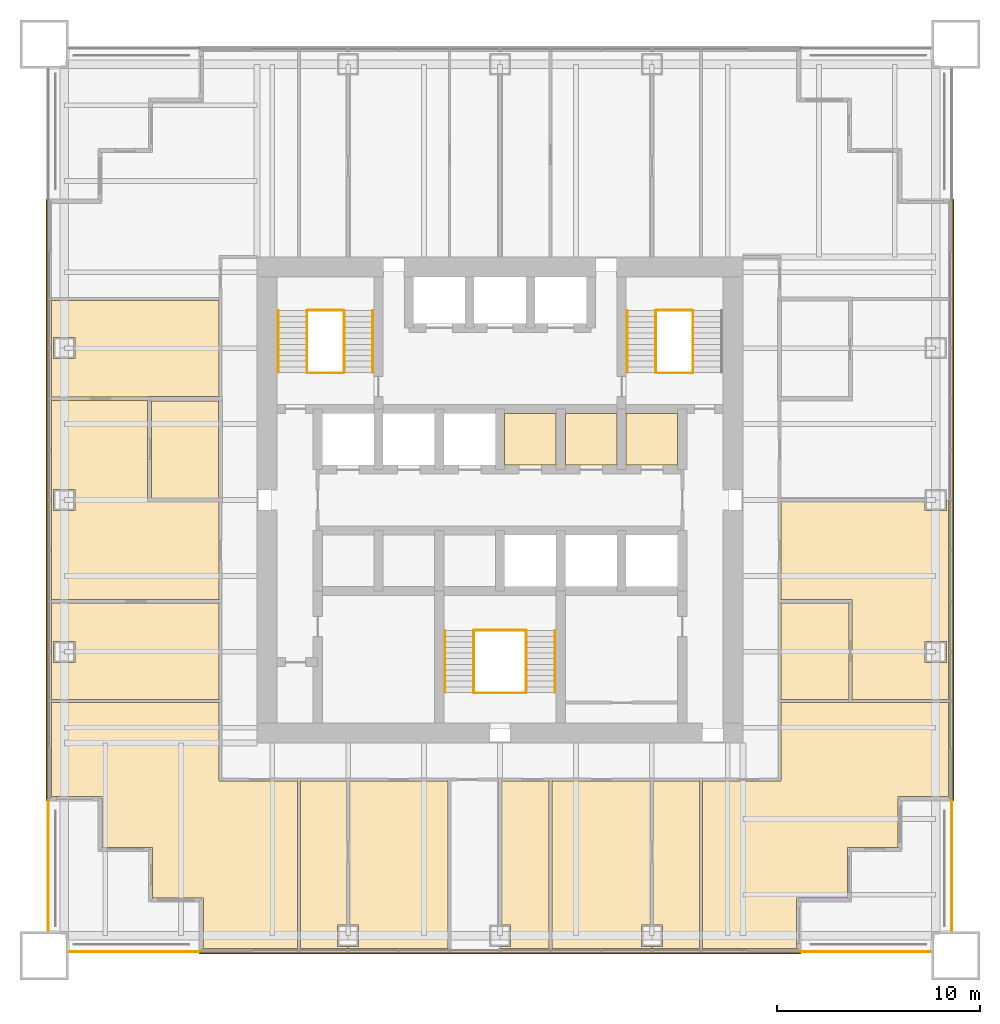
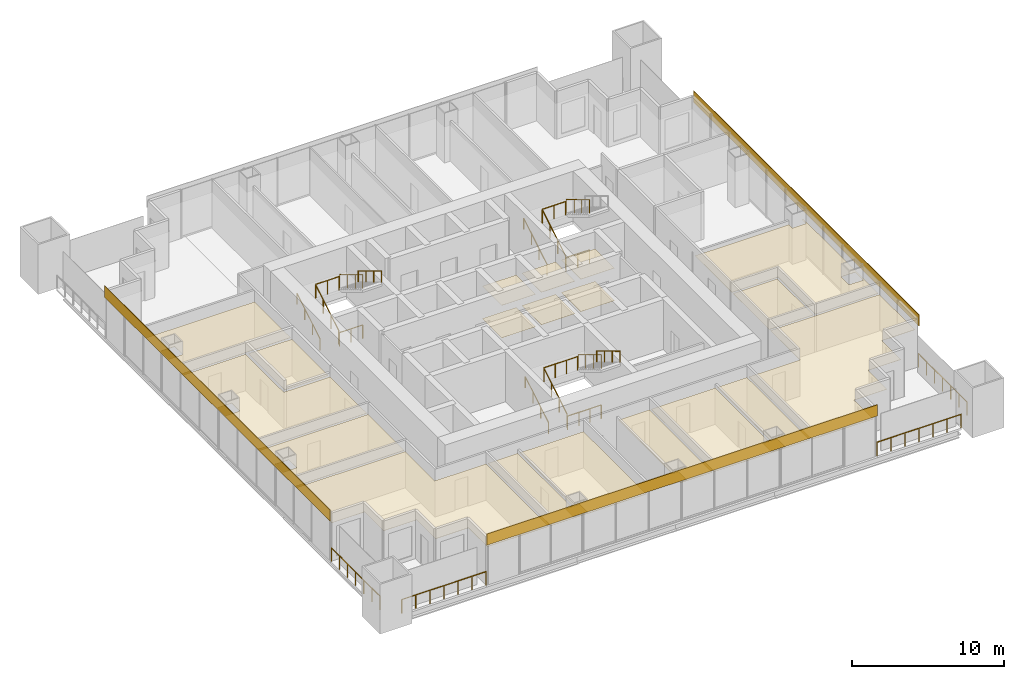
# One storey, part 12 of 13: 22 coverings, 21 railings.
"""IFC4 building model written with IfcOpenShell, lengths in metres."""

from ifc_helpers import new_model, si_unit, direction, frame, origin, origin_2d, place, context, subcontext, project, spatial, polyline, rectangle, circle, outline, extrude, material, layer, layer_set, type_object, element, save


model = new_model("IFC4")

# Units and contexts
model_context = context("Model", 3, precision=1e-05, world=origin(), true_north=direction((0.0, 1.0)))
body_context = subcontext(model_context, "Body", "Model", "MODEL_VIEW")
ifc_project = project(units=[si_unit("LENGTHUNIT", "METRE"), si_unit("AREAUNIT", "SQUARE_METRE"), si_unit("VOLUMEUNIT", "CUBIC_METRE"), si_unit("PLANEANGLEUNIT", "RADIAN"), si_unit("MASSUNIT", "GRAM", prefix="KILO")], contexts=[model_context])

# Site, building, storey
site_placement = place(None, origin())
site = spatial("IfcSite", under=ifc_project, at=site_placement, CompositionType="ELEMENT")
building_placement = place(site_placement, origin())
building = spatial("IfcBuilding", under=site, at=building_placement, Name="Tarangal Relay Tower", CompositionType="ELEMENT")
storey_placement = place(building_placement, frame((0.0, 0.0, 181.89990234375)))
storey = spatial("IfcBuildingStorey", under=building, at=storey_placement, Name="L37", CompositionType="ELEMENT", Elevation=181.89990234375)

# Coverings
ifc_material_1 = material(Name="Anti-static vinyl flooring", Category="plastic")
ifc_layer_1 = layer(ifc_material_1, 0.010009765625)
ifc_layer_set_1 = layer_set([ifc_layer_1], Name="Anti-static vinyl floor")
covering_type_1 = type_object("IfcCoveringType", Name="Anti-static vinyl floor", PredefinedType="FLOORING", material=ifc_layer_set_1)
covering_1_placement = place(storey_placement, origin())
element("IfcCovering", 1, at=covering_1_placement, inside=storey, type_object=covering_type_1, Name="Floor finish FL1 L37-T1", PredefinedType="FLOORING", context=body_context, shape_type="SweptSolid", body=[
    extrude(outline(polyline([(0.22509765625, 1.72509765625), (2.77490234375, 1.72509765625), (2.77490234375, 4.27490234375), (0.22509765625, 4.27490234375), (0.22509765625, 1.72509765625)])), origin(), (0.0, 0.0, 1.0), 0.010009765625),
])
covering_2_placement = place(storey_placement, origin())
element("IfcCovering", 2, at=covering_2_placement, inside=storey, type_object=covering_type_1, Name="Floor finish FL1 L37-T2", PredefinedType="FLOORING", context=body_context, shape_type="SweptSolid", body=[
    extrude(outline(polyline([(3.22509765625, 1.72509765625), (5.77490234375, 1.72509765625), (5.77490234375, 4.27490234375), (3.22509765625, 4.27490234375), (3.22509765625, 1.72509765625)])), origin(), (0.0, 0.0, 1.0), 0.010009765625),
])
covering_3_placement = place(storey_placement, origin())
element("IfcCovering", 3, at=covering_3_placement, inside=storey, type_object=covering_type_1, Name="Floor finish FL1 L37-T3", PredefinedType="FLOORING", context=body_context, shape_type="SweptSolid", body=[
    extrude(outline(polyline([(6.22509765625, 1.72509765625), (8.77490234375, 1.72509765625), (8.77490234375, 4.27490234375), (6.22509765625, 4.27490234375), (6.22509765625, 1.72509765625)])), origin(), (0.0, 0.0, 1.0), 0.010009765625),
])
ifc_material_2 = material(Name="Black anodised aluminium cladding", Category="aluminium")
ifc_layer_2 = layer(ifc_material_2, 0.050048828125)
ifc_layer_set_2 = layer_set([ifc_layer_2], Name="Black metal spandrel band")
covering_type_2 = type_object("IfcCoveringType", Name="Black metal spandrel band", PredefinedType="CLADDING", material=ifc_layer_set_2)
for number, where, z_axis, x_axis, name in (
    (4, (22.375, 0.0, 3.250244140625), (0.0, 0.0, 1.0), (0.0, -1.0, 0.0), "Spandrel band SB1 E L37"),
    (5, (0.0, -22.375, 3.250244140625), (0.0, 0.0, 1.0), (-1.0, 0.0, 0.0), "Spandrel band SB1 S L37"),
    (6, (-22.375, 0.0, 3.250244140625), (0.0, 0.0, 1.0), (0.0, 1.0, 0.0), "Spandrel band SB1 W L37"),
):
    element("IfcCovering", number, at=place(storey_placement, frame(where, z_axis=z_axis, x_axis=x_axis)), inside=storey, type_object=covering_type_2, Name=name, PredefinedType="CLADDING", context=body_context, shape_type="SweptSolid", body=[
        extrude(rectangle(XDim=29.699951171875, YDim=0.050048828125, at=origin_2d()), origin(), (0.0, 0.0, 1.0), 0.89990234375),
    ])

# Railings
ifc_material_3 = material(Name="Steel guard, black finish", Category="steel")
railing_type_1 = type_object("IfcRailingType", Name="Stair guard 1100", PredefinedType="GUARDRAIL", material=ifc_material_3)
railing_1_placement = place(storey_placement, frame((-9.530029296875, 6.300048828125, 0.166748046875)))
element("IfcRailing", 7, at=railing_1_placement, inside=storey, type_object=railing_type_1, Name="Stair ST-A guard GR1 L37 flight 1", PredefinedType="GUARDRAIL", context=body_context, shape_type="SweptSolid", body=[
    extrude(circle(Radius=0.02392578125, at=origin_2d()), frame((0.0, 0.0, 1.076171875), z_axis=(0.0, 0.85685617095, 0.515555527858), x_axis=(-1.0, 0.0, 0.0)), (0.0, 0.0, 1.0), 3.555908203125),
    extrude(circle(Radius=0.02099609375, at=origin_2d()), origin(), (0.0, 0.0, 1.0), 1.052001953125),
    extrude(circle(Radius=0.02099609375, at=origin_2d()), frame((0.0, 1.015625, 0.611083984375)), (0.0, 0.0, 1.0), 1.052001953125),
    extrude(circle(Radius=0.02099609375, at=origin_2d()), frame((0.0, 2.03125, 1.22216796875)), (0.0, 0.0, 1.0), 1.052001953125),
    extrude(circle(Radius=0.02099609375, at=origin_2d()), frame((0.0, 3.046875, 1.833251953125)), (0.0, 0.0, 1.0), 1.052001953125),
])
railing_2_placement = place(storey_placement, frame((-7.695068359375, 9.346923828125, 2.166748046875)))
element("IfcRailing", 8, at=railing_2_placement, inside=storey, type_object=railing_type_1, Name="Stair ST-A guard GR1 L37 flight 2", PredefinedType="GUARDRAIL", context=body_context, shape_type="SweptSolid", body=[
    extrude(circle(Radius=0.02392578125, at=origin_2d()), frame((0.0, 0.0, 1.076171875), z_axis=(0.0, -0.85685617095, 0.515555527858), x_axis=(1.0, 0.0, 0.0)), (0.0, 0.0, 1.0), 3.555908203125),
    extrude(circle(Radius=0.02099609375, at=origin_2d()), origin(), (0.0, 0.0, 1.0), 1.052001953125),
    extrude(circle(Radius=0.02099609375, at=origin_2d()), frame((0.0, -1.015625, 0.611083984375)), (0.0, 0.0, 1.0), 1.052001953125),
    extrude(circle(Radius=0.02099609375, at=origin_2d()), frame((0.0, -2.03125, 1.22216796875)), (0.0, 0.0, 1.0), 1.052001953125),
    extrude(circle(Radius=0.02099609375, at=origin_2d()), frame((0.0, -3.046875, 1.833251953125)), (0.0, 0.0, 1.0), 1.052001953125),
])
for number, where, name in (
    (9, (-9.5, 6.27001953125, 0.0), "Stair ST-A landing guard GR1 L37"),
    (10, (-9.5, 9.376953125, 2.0), "Stair ST-A landing guard GR1 L37"),
):
    element("IfcRailing", number, at=place(storey_placement, frame(where)), inside=storey, type_object=railing_type_1, Name=name, PredefinedType="GUARDRAIL", context=body_context, shape_type="SweptSolid", body=[
        extrude(circle(Radius=0.02392578125, at=origin_2d()), frame((0.0, 0.0, 1.076171875), z_axis=(1.0, 0.0, 0.0), x_axis=(0.0, 1.0, 0.0)), (0.0, 0.0, 1.0), 1.77490234375),
        extrude(circle(Radius=0.02099609375, at=origin_2d()), origin(), (0.0, 0.0, 1.0), 1.052001953125),
        extrude(circle(Radius=0.02099609375, at=origin_2d()), frame((0.887451171875, 0.0, 0.0)), (0.0, 0.0, 1.0), 1.052001953125),
        extrude(circle(Radius=0.02099609375, at=origin_2d()), frame((1.77490234375, 0.0, 0.0)), (0.0, 0.0, 1.0), 1.052001953125),
    ])
railing_3_placement = place(storey_placement, frame((7.695068359375, 6.300048828125, 0.166748046875)))
element("IfcRailing", 11, at=railing_3_placement, inside=storey, type_object=railing_type_1, Name="Stair ST-B guard GR1 L37 flight 1", PredefinedType="GUARDRAIL", context=body_context, shape_type="SweptSolid", body=[
    extrude(circle(Radius=0.02392578125, at=origin_2d()), frame((0.0, 0.0, 1.076171875), z_axis=(0.0, 0.85685617095, 0.515555527858), x_axis=(-1.0, 0.0, 0.0)), (0.0, 0.0, 1.0), 3.555908203125),
    extrude(circle(Radius=0.02099609375, at=origin_2d()), origin(), (0.0, 0.0, 1.0), 1.052001953125),
    extrude(circle(Radius=0.02099609375, at=origin_2d()), frame((0.0, 1.015625, 0.611083984375)), (0.0, 0.0, 1.0), 1.052001953125),
    extrude(circle(Radius=0.02099609375, at=origin_2d()), frame((0.0, 2.03125, 1.22216796875)), (0.0, 0.0, 1.0), 1.052001953125),
    extrude(circle(Radius=0.02099609375, at=origin_2d()), frame((0.0, 3.046875, 1.833251953125)), (0.0, 0.0, 1.0), 1.052001953125),
])
railing_4_placement = place(storey_placement, frame((9.530029296875, 9.346923828125, 2.166748046875)))
element("IfcRailing", 12, at=railing_4_placement, inside=storey, type_object=railing_type_1, Name="Stair ST-B guard GR1 L37 flight 2", PredefinedType="GUARDRAIL", context=body_context, shape_type="SweptSolid", body=[
    extrude(circle(Radius=0.02392578125, at=origin_2d()), frame((0.0, 0.0, 1.076171875), z_axis=(0.0, -0.85685617095, 0.515555527858), x_axis=(1.0, 0.0, 0.0)), (0.0, 0.0, 1.0), 3.555908203125),
    extrude(circle(Radius=0.02099609375, at=origin_2d()), origin(), (0.0, 0.0, 1.0), 1.052001953125),
    extrude(circle(Radius=0.02099609375, at=origin_2d()), frame((0.0, -1.015625, 0.611083984375)), (0.0, 0.0, 1.0), 1.052001953125),
    extrude(circle(Radius=0.02099609375, at=origin_2d()), frame((0.0, -2.03125, 1.22216796875)), (0.0, 0.0, 1.0), 1.052001953125),
    extrude(circle(Radius=0.02099609375, at=origin_2d()), frame((0.0, -3.046875, 1.833251953125)), (0.0, 0.0, 1.0), 1.052001953125),
])
for number, where, name in (
    (13, (7.72509765625, 6.27001953125, 0.0), "Stair ST-B landing guard GR1 L37"),
    (14, (7.72509765625, 9.376953125, 2.0), "Stair ST-B landing guard GR1 L37"),
):
    element("IfcRailing", number, at=place(storey_placement, frame(where)), inside=storey, type_object=railing_type_1, Name=name, PredefinedType="GUARDRAIL", context=body_context, shape_type="SweptSolid", body=[
        extrude(circle(Radius=0.02392578125, at=origin_2d()), frame((0.0, 0.0, 1.076171875), z_axis=(1.0, 0.0, 0.0), x_axis=(0.0, 1.0, 0.0)), (0.0, 0.0, 1.0), 1.77490234375),
        extrude(circle(Radius=0.02099609375, at=origin_2d()), origin(), (0.0, 0.0, 1.0), 1.052001953125),
        extrude(circle(Radius=0.02099609375, at=origin_2d()), frame((0.887451171875, 0.0, 0.0)), (0.0, 0.0, 1.0), 1.052001953125),
        extrude(circle(Radius=0.02099609375, at=origin_2d()), frame((1.77490234375, 0.0, 0.0)), (0.0, 0.0, 1.0), 1.052001953125),
    ])
railing_5_placement = place(storey_placement, frame((-1.304931640625, -9.5, 0.166748046875)))
element("IfcRailing", 15, at=railing_5_placement, inside=storey, type_object=railing_type_1, Name="Stair ST-C guard GR1 L37 flight 1", PredefinedType="GUARDRAIL", context=body_context, shape_type="SweptSolid", body=[
    extrude(circle(Radius=0.02392578125, at=origin_2d()), frame((0.0, 0.0, 1.076171875), z_axis=(0.0, 0.856874418557, 0.515525199018), x_axis=(-1.0, 0.0, 0.0)), (0.0, 0.0, 1.0), 3.55615234375),
    extrude(circle(Radius=0.02099609375, at=origin_2d()), origin(), (0.0, 0.0, 1.0), 1.052001953125),
    extrude(circle(Radius=0.02099609375, at=origin_2d()), frame((0.0, 1.015625, 0.611083984375)), (0.0, 0.0, 1.0), 1.052001953125),
    extrude(circle(Radius=0.02099609375, at=origin_2d()), frame((0.0, 2.031494140625, 1.22216796875)), (0.0, 0.0, 1.0), 1.052001953125),
    extrude(circle(Radius=0.02099609375, at=origin_2d()), frame((0.0, 3.047119140625, 1.833251953125)), (0.0, 0.0, 1.0), 1.052001953125),
])
railing_6_placement = place(storey_placement, frame((1.304931640625, -6.452880859375, 2.166748046875)))
element("IfcRailing", 16, at=railing_6_placement, inside=storey, type_object=railing_type_1, Name="Stair ST-C guard GR1 L37 flight 2", PredefinedType="GUARDRAIL", context=body_context, shape_type="SweptSolid", body=[
    extrude(circle(Radius=0.02392578125, at=origin_2d()), frame((0.0, 0.0, 1.076171875), z_axis=(0.0, -0.856874418557, 0.515525199018), x_axis=(1.0, 0.0, 0.0)), (0.0, 0.0, 1.0), 3.55615234375),
    extrude(circle(Radius=0.02099609375, at=origin_2d()), origin(), (0.0, 0.0, 1.0), 1.052001953125),
    extrude(circle(Radius=0.02099609375, at=origin_2d()), frame((0.0, -1.015625, 0.611083984375)), (0.0, 0.0, 1.0), 1.052001953125),
    extrude(circle(Radius=0.02099609375, at=origin_2d()), frame((0.0, -2.031494140625, 1.22216796875)), (0.0, 0.0, 1.0), 1.052001953125),
    extrude(circle(Radius=0.02099609375, at=origin_2d()), frame((0.0, -3.047119140625, 1.833251953125)), (0.0, 0.0, 1.0), 1.052001953125),
])
for number, where, name in (
    (17, (-1.27490234375, -9.530029296875, 0.0), "Stair ST-C landing guard GR1 L37"),
    (18, (-1.27490234375, -6.423095703125, 2.0), "Stair ST-C landing guard GR1 L37"),
):
    element("IfcRailing", number, at=place(storey_placement, frame(where)), inside=storey, type_object=railing_type_1, Name=name, PredefinedType="GUARDRAIL", context=body_context, shape_type="SweptSolid", body=[
        extrude(circle(Radius=0.02392578125, at=origin_2d()), frame((0.0, 0.0, 1.076171875), z_axis=(1.0, 0.0, 0.0), x_axis=(0.0, 1.0, 0.0)), (0.0, 0.0, 1.0), 2.5498046875),
        extrude(circle(Radius=0.02099609375, at=origin_2d()), origin(), (0.0, 0.0, 1.0), 1.052001953125),
        extrude(circle(Radius=0.02099609375, at=origin_2d()), frame((0.849853515625, 0.0, 0.0)), (0.0, 0.0, 1.0), 1.052001953125),
        extrude(circle(Radius=0.02099609375, at=origin_2d()), frame((1.699951171875, 0.0, 0.0)), (0.0, 0.0, 1.0), 1.052001953125),
        extrude(circle(Radius=0.02099609375, at=origin_2d()), frame((2.5498046875, 0.0, 0.0)), (0.0, 0.0, 1.0), 1.052001953125),
    ])
ifc_material_4 = material(Name="Steel handrail, black finish", Category="steel")
railing_type_2 = type_object("IfcRailingType", Name="Stair handrail 900", PredefinedType="HANDRAIL", material=ifc_material_4)
railing_7_placement = place(storey_placement, frame((-10.93994140625, 6.300048828125, 0.166748046875)))
element("IfcRailing", 19, at=railing_7_placement, inside=storey, type_object=railing_type_2, Name="Stair ST-A handrail HR1 L37 flight 1", PredefinedType="HANDRAIL", context=body_context, shape_type="SweptSolid", body=[
    extrude(circle(Radius=0.02392578125, at=origin_2d()), frame((0.0, 0.0, 0.8759765625), z_axis=(0.0, 0.85685617095, 0.515555527858), x_axis=(-1.0, 0.0, 0.0)), (0.0, 0.0, 1.0), 3.555908203125),
    extrude(circle(Radius=0.02099609375, at=origin_2d()), origin(), (0.0, 0.0, 1.0), 0.851806640625),
    extrude(circle(Radius=0.02099609375, at=origin_2d()), frame((0.0, 1.015625, 0.611083984375)), (0.0, 0.0, 1.0), 0.851806640625),
    extrude(circle(Radius=0.02099609375, at=origin_2d()), frame((0.0, 2.03125, 1.22216796875)), (0.0, 0.0, 1.0), 0.851806640625),
    extrude(circle(Radius=0.02099609375, at=origin_2d()), frame((0.0, 3.046875, 1.833251953125)), (0.0, 0.0, 1.0), 0.851806640625),
])
railing_8_placement = place(storey_placement, frame((-6.284912109375, 9.346923828125, 2.166748046875)))
element("IfcRailing", 20, at=railing_8_placement, inside=storey, type_object=railing_type_2, Name="Stair ST-A handrail HR1 L37 flight 2", PredefinedType="HANDRAIL", context=body_context, shape_type="SweptSolid", body=[
    extrude(circle(Radius=0.02392578125, at=origin_2d()), frame((0.0, 0.0, 0.8759765625), z_axis=(0.0, -0.85685617095, 0.515555527858), x_axis=(1.0, 0.0, 0.0)), (0.0, 0.0, 1.0), 3.555908203125),
    extrude(circle(Radius=0.02099609375, at=origin_2d()), origin(), (0.0, 0.0, 1.0), 0.851806640625),
    extrude(circle(Radius=0.02099609375, at=origin_2d()), frame((0.0, -1.015625, 0.611083984375)), (0.0, 0.0, 1.0), 0.851806640625),
    extrude(circle(Radius=0.02099609375, at=origin_2d()), frame((0.0, -2.03125, 1.22216796875)), (0.0, 0.0, 1.0), 0.851806640625),
    extrude(circle(Radius=0.02099609375, at=origin_2d()), frame((0.0, -3.046875, 1.833251953125)), (0.0, 0.0, 1.0), 0.851806640625),
])
railing_9_placement = place(storey_placement, frame((6.284912109375, 6.300048828125, 0.166748046875)))
element("IfcRailing", 21, at=railing_9_placement, inside=storey, type_object=railing_type_2, Name="Stair ST-B handrail HR1 L37 flight 1", PredefinedType="HANDRAIL", context=body_context, shape_type="SweptSolid", body=[
    extrude(circle(Radius=0.02392578125, at=origin_2d()), frame((0.0, 0.0, 0.8759765625), z_axis=(0.0, 0.85685617095, 0.515555527858), x_axis=(-1.0, 0.0, 0.0)), (0.0, 0.0, 1.0), 3.555908203125),
    extrude(circle(Radius=0.02099609375, at=origin_2d()), origin(), (0.0, 0.0, 1.0), 0.851806640625),
    extrude(circle(Radius=0.02099609375, at=origin_2d()), frame((0.0, 1.015625, 0.611083984375)), (0.0, 0.0, 1.0), 0.851806640625),
    extrude(circle(Radius=0.02099609375, at=origin_2d()), frame((0.0, 2.03125, 1.22216796875)), (0.0, 0.0, 1.0), 0.851806640625),
    extrude(circle(Radius=0.02099609375, at=origin_2d()), frame((0.0, 3.046875, 1.833251953125)), (0.0, 0.0, 1.0), 0.851806640625),
])
railing_10_placement = place(storey_placement, frame((-2.715087890625, -9.5, 0.166748046875)))
element("IfcRailing", 22, at=railing_10_placement, inside=storey, type_object=railing_type_2, Name="Stair ST-C handrail HR1 L37 flight 1", PredefinedType="HANDRAIL", context=body_context, shape_type="SweptSolid", body=[
    extrude(circle(Radius=0.02392578125, at=origin_2d()), frame((0.0, 0.0, 0.8759765625), z_axis=(0.0, 0.856874418557, 0.515525199018), x_axis=(-1.0, 0.0, 0.0)), (0.0, 0.0, 1.0), 3.55615234375),
    extrude(circle(Radius=0.02099609375, at=origin_2d()), origin(), (0.0, 0.0, 1.0), 0.851806640625),
    extrude(circle(Radius=0.02099609375, at=origin_2d()), frame((0.0, 1.015625, 0.611083984375)), (0.0, 0.0, 1.0), 0.851806640625),
    extrude(circle(Radius=0.02099609375, at=origin_2d()), frame((0.0, 2.031494140625, 1.22216796875)), (0.0, 0.0, 1.0), 0.851806640625),
    extrude(circle(Radius=0.02099609375, at=origin_2d()), frame((0.0, 3.047119140625, 1.833251953125)), (0.0, 0.0, 1.0), 0.851806640625),
])
railing_11_placement = place(storey_placement, frame((2.715087890625, -6.452880859375, 2.166748046875)))
element("IfcRailing", 23, at=railing_11_placement, inside=storey, type_object=railing_type_2, Name="Stair ST-C handrail HR1 L37 flight 2", PredefinedType="HANDRAIL", context=body_context, shape_type="SweptSolid", body=[
    extrude(circle(Radius=0.02392578125, at=origin_2d()), frame((0.0, 0.0, 0.8759765625), z_axis=(0.0, -0.856874418557, 0.515525199018), x_axis=(1.0, 0.0, 0.0)), (0.0, 0.0, 1.0), 3.55615234375),
    extrude(circle(Radius=0.02099609375, at=origin_2d()), origin(), (0.0, 0.0, 1.0), 0.851806640625),
    extrude(circle(Radius=0.02099609375, at=origin_2d()), frame((0.0, -1.015625, 0.611083984375)), (0.0, 0.0, 1.0), 0.851806640625),
    extrude(circle(Radius=0.02099609375, at=origin_2d()), frame((0.0, -2.031494140625, 1.22216796875)), (0.0, 0.0, 1.0), 0.851806640625),
    extrude(circle(Radius=0.02099609375, at=origin_2d()), frame((0.0, -3.047119140625, 1.833251953125)), (0.0, 0.0, 1.0), 0.851806640625),
])

# Coverings
ifc_material_5 = material(Name="Mineral fibre ceiling tiles", Category="gypsum")
ifc_layer_3 = layer(ifc_material_5, 0.02001953125)
ifc_layer_set_3 = layer_set([ifc_layer_3], Name="Suspended ceiling")
covering_type_3 = type_object("IfcCoveringType", Name="Suspended ceiling", PredefinedType="CEILING", material=ifc_layer_set_3)
covering_4_placement = place(storey_placement, frame((0.0, 0.0, 2.60009765625)))
element("IfcCovering", 24, at=covering_4_placement, inside=storey, type_object=covering_type_3, Name="Suspended ceiling CL1 L37-T1", PredefinedType="CEILING", context=body_context, shape_type="SweptSolid", body=[
    extrude(outline(polyline([(0.22509765625, 1.72509765625), (2.77490234375, 1.72509765625), (2.77490234375, 4.27490234375), (0.22509765625, 4.27490234375), (0.22509765625, 1.72509765625)])), origin(), (0.0, 0.0, 1.0), 0.02001953125),
])
covering_5_placement = place(storey_placement, frame((0.0, 0.0, 2.60009765625)))
element("IfcCovering", 25, at=covering_5_placement, inside=storey, type_object=covering_type_3, Name="Suspended ceiling CL1 L37-T2", PredefinedType="CEILING", context=body_context, shape_type="SweptSolid", body=[
    extrude(outline(polyline([(3.22509765625, 1.72509765625), (5.77490234375, 1.72509765625), (5.77490234375, 4.27490234375), (3.22509765625, 4.27490234375), (3.22509765625, 1.72509765625)])), origin(), (0.0, 0.0, 1.0), 0.02001953125),
])
covering_6_placement = place(storey_placement, frame((0.0, 0.0, 2.60009765625)))
element("IfcCovering", 26, at=covering_6_placement, inside=storey, type_object=covering_type_3, Name="Suspended ceiling CL1 L37-T3", PredefinedType="CEILING", context=body_context, shape_type="SweptSolid", body=[
    extrude(outline(polyline([(6.22509765625, 1.72509765625), (8.77490234375, 1.72509765625), (8.77490234375, 4.27490234375), (6.22509765625, 4.27490234375), (6.22509765625, 1.72509765625)])), origin(), (0.0, 0.0, 1.0), 0.02001953125),
])
covering_7_placement = place(storey_placement, frame((0.0, 0.0, 2.900146484375)))
element("IfcCovering", 27, at=covering_7_placement, inside=storey, type_object=covering_type_3, Name="Suspended ceiling CL1 L37-10", PredefinedType="CEILING", context=body_context, shape_type="SweptSolid", body=[
    extrude(outline(polyline([(22.14990234375, 0.0), (22.0400390625, 0.0), (22.0400390625, -0.52490234375), (20.989990234375, -0.52490234375), (20.989990234375, -0.074951171875), (13.875, -0.074951171875), (13.875, -4.925048828125), (17.375, -4.925048828125), (17.375, -9.842041015625), (22.14990234375, -9.842041015625), (22.14990234375, 0.0)]), holes=[polyline([(22.0400390625, -8.02490234375), (22.0400390625, -6.97509765625), (20.989990234375, -6.97509765625), (20.989990234375, -8.02490234375), (22.0400390625, -8.02490234375)])]), origin(), (0.0, 0.0, 1.0), 0.02001953125),
])
covering_8_placement = place(storey_placement, frame((0.0, 0.0, 2.900146484375)))
element("IfcCovering", 28, at=covering_8_placement, inside=storey, type_object=covering_type_3, Name="Suspended ceiling CL1 L37-11", PredefinedType="CEILING", context=body_context, shape_type="SweptSolid", body=[
    extrude(outline(polyline([(13.875, -5.074951171875), (13.875, -9.842041015625), (17.22509765625, -9.842041015625), (17.22509765625, -5.074951171875), (13.875, -5.074951171875)])), origin(), (0.0, 0.0, 1.0), 0.02001953125),
])
covering_9_placement = place(storey_placement, frame((0.0, 0.0, 2.900146484375)))
element("IfcCovering", 29, at=covering_9_placement, inside=storey, type_object=covering_type_3, Name="Suspended ceiling CL1 L37-12", PredefinedType="CEILING", context=body_context, shape_type="SweptSolid", body=[
    extrude(outline(polyline([(7.5, -22.14990234375), (9.842041015625, -22.14990234375), (9.842041015625, -13.875), (7.574951171875, -13.875), (7.574951171875, -20.989990234375), (8.02490234375, -20.989990234375), (8.02490234375, -22.0400390625), (7.5, -22.0400390625), (7.5, -22.14990234375)])), origin(), (0.0, 0.0, 1.0), 0.02001953125),
])
covering_10_placement = place(storey_placement, frame((0.0, 0.0, 2.900146484375)))
element("IfcCovering", 30, at=covering_10_placement, inside=storey, type_object=covering_type_3, Name="Suspended ceiling CL1 L37-13", PredefinedType="CEILING", context=body_context, shape_type="SweptSolid", body=[
    extrude(outline(polyline([(2.574951171875, -22.14990234375), (7.5, -22.14990234375), (7.5, -22.0400390625), (6.97509765625, -22.0400390625), (6.97509765625, -20.989990234375), (7.425048828125, -20.989990234375), (7.425048828125, -13.875), (2.574951171875, -13.875), (2.574951171875, -22.14990234375)])), origin(), (0.0, 0.0, 1.0), 0.02001953125),
])
covering_11_placement = place(storey_placement, frame((0.0, 0.0, 2.900146484375)))
element("IfcCovering", 31, at=covering_11_placement, inside=storey, type_object=covering_type_3, Name="Suspended ceiling CL1 L37-14", PredefinedType="CEILING", context=body_context, shape_type="SweptSolid", body=[
    extrude(outline(polyline([(0.0, -22.14990234375), (2.425048828125, -22.14990234375), (2.425048828125, -13.875), (0.074951171875, -13.875), (0.074951171875, -20.989990234375), (0.52490234375, -20.989990234375), (0.52490234375, -22.0400390625), (0.0, -22.0400390625), (0.0, -22.14990234375)])), origin(), (0.0, 0.0, 1.0), 0.02001953125),
])
covering_12_placement = place(storey_placement, frame((0.0, 0.0, 2.900146484375)))
element("IfcCovering", 32, at=covering_12_placement, inside=storey, type_object=covering_type_3, Name="Suspended ceiling CL1 L37-16", PredefinedType="CEILING", context=body_context, shape_type="SweptSolid", body=[
    extrude(outline(polyline([(-7.5, -22.14990234375), (-2.574951171875, -22.14990234375), (-2.574951171875, -13.875), (-7.425048828125, -13.875), (-7.425048828125, -20.989990234375), (-6.97509765625, -20.989990234375), (-6.97509765625, -22.0400390625), (-7.5, -22.0400390625), (-7.5, -22.14990234375)])), origin(), (0.0, 0.0, 1.0), 0.02001953125),
])
covering_13_placement = place(storey_placement, frame((0.0, 0.0, 2.900146484375)))
element("IfcCovering", 33, at=covering_13_placement, inside=storey, type_object=covering_type_3, Name="Suspended ceiling CL1 L37-17", PredefinedType="CEILING", context=body_context, shape_type="SweptSolid", body=[
    extrude(outline(polyline([(-9.842041015625, -22.14990234375), (-7.5, -22.14990234375), (-7.5, -22.0400390625), (-8.02490234375, -22.0400390625), (-8.02490234375, -20.989990234375), (-7.574951171875, -20.989990234375), (-7.574951171875, -13.875), (-9.842041015625, -13.875), (-9.842041015625, -22.14990234375)])), origin(), (0.0, 0.0, 1.0), 0.02001953125),
])
covering_14_placement = place(storey_placement, frame((0.0, 0.0, 2.900146484375)))
element("IfcCovering", 34, at=covering_14_placement, inside=storey, type_object=covering_type_3, Name="Suspended ceiling CL1 L37-18", PredefinedType="CEILING", context=body_context, shape_type="SweptSolid", body=[
    extrude(outline(polyline([(-22.14990234375, -5.074951171875), (-22.14990234375, -9.842041015625), (-13.875, -9.842041015625), (-13.875, -5.074951171875), (-22.14990234375, -5.074951171875)]), holes=[polyline([(-20.989990234375, -6.97509765625), (-22.0400390625, -6.97509765625), (-22.0400390625, -8.02490234375), (-20.989990234375, -8.02490234375), (-20.989990234375, -6.97509765625)])]), origin(), (0.0, 0.0, 1.0), 0.02001953125),
])
covering_15_placement = place(storey_placement, frame((0.0, 0.0, 2.900146484375)))
element("IfcCovering", 35, at=covering_15_placement, inside=storey, type_object=covering_type_3, Name="Suspended ceiling CL1 L37-19", PredefinedType="CEILING", context=body_context, shape_type="SweptSolid", body=[
    extrude(outline(polyline([(-22.14990234375, 4.925048828125), (-22.14990234375, -4.925048828125), (-13.875, -4.925048828125), (-13.875, -0.10009765625), (-17.39990234375, -0.10009765625), (-17.39990234375, 4.925048828125), (-22.14990234375, 4.925048828125)]), holes=[polyline([(-20.989990234375, 0.52490234375), (-22.0400390625, 0.52490234375), (-22.0400390625, -0.52490234375), (-20.989990234375, -0.52490234375), (-20.989990234375, 0.52490234375)])]), origin(), (0.0, 0.0, 1.0), 0.02001953125),
])
covering_16_placement = place(storey_placement, frame((0.0, 0.0, 2.900146484375)))
element("IfcCovering", 36, at=covering_16_placement, inside=storey, type_object=covering_type_3, Name="Suspended ceiling CL1 L37-20", PredefinedType="CEILING", context=body_context, shape_type="SweptSolid", body=[
    extrude(outline(polyline([(-13.89990234375, 4.89990234375), (-17.199951171875, 4.89990234375), (-17.199951171875, 0.10009765625), (-13.89990234375, 0.10009765625), (-13.89990234375, 4.89990234375)])), origin(), (0.0, 0.0, 1.0), 0.02001953125),
])
covering_17_placement = place(storey_placement, frame((0.0, 0.0, 2.900146484375)))
element("IfcCovering", 37, at=covering_17_placement, inside=storey, type_object=covering_type_3, Name="Suspended ceiling CL1 L37-21", PredefinedType="CEILING", context=body_context, shape_type="SweptSolid", body=[
    extrude(outline(polyline([(-22.14990234375, 9.842041015625), (-22.14990234375, 5.074951171875), (-17.39990234375, 5.074951171875), (-17.39990234375, 5.10009765625), (-13.875, 5.10009765625), (-13.875, 9.842041015625), (-22.14990234375, 9.842041015625)]), holes=[polyline([(-20.989990234375, 8.02490234375), (-22.0400390625, 8.02490234375), (-22.0400390625, 6.97509765625), (-20.989990234375, 6.97509765625), (-20.989990234375, 8.02490234375)])]), origin(), (0.0, 0.0, 1.0), 0.02001953125),
])
covering_18_placement = place(storey_placement, frame((0.0, 0.0, 2.900146484375)))
element("IfcCovering", 38, at=covering_18_placement, inside=storey, type_object=covering_type_3, Name="Suspended ceiling CL1 L37-23", PredefinedType="CEILING", context=body_context, shape_type="SweptSolid", body=[
    extrude(outline(polyline([(22.14990234375, -9.991943359375), (13.875, -9.991943359375), (13.875, -13.875), (9.991943359375, -13.875), (9.991943359375, -22.14990234375), (14.64990234375, -22.14990234375), (14.64990234375, -19.64990234375), (17.14990234375, -19.64990234375), (17.14990234375, -17.14990234375), (19.64990234375, -17.14990234375), (19.64990234375, -14.64990234375), (22.14990234375, -14.64990234375), (22.14990234375, -9.991943359375)])), origin(), (0.0, 0.0, 1.0), 0.02001953125),
])
covering_19_placement = place(storey_placement, frame((0.0, 0.0, 2.900146484375)))
element("IfcCovering", 39, at=covering_19_placement, inside=storey, type_object=covering_type_3, Name="Suspended ceiling CL1 L37-24", PredefinedType="CEILING", context=body_context, shape_type="SweptSolid", body=[
    extrude(outline(polyline([(-14.64990234375, -19.64990234375), (-14.64990234375, -22.14990234375), (-9.991943359375, -22.14990234375), (-9.991943359375, -13.875), (-13.875, -13.875), (-13.875, -9.991943359375), (-22.14990234375, -9.991943359375), (-22.14990234375, -14.64990234375), (-19.64990234375, -14.64990234375), (-19.64990234375, -17.14990234375), (-17.14990234375, -17.14990234375), (-17.14990234375, -19.64990234375), (-14.64990234375, -19.64990234375)])), origin(), (0.0, 0.0, 1.0), 0.02001953125),
])

# Railings
ifc_material_6 = material(Name="Black steel guard with glass infill", Category="steel")
railing_type_3 = type_object("IfcRailingType", Name="Terrace guard 1100", PredefinedType="GUARDRAIL", material=ifc_material_6)
railing_12_placement = place(storey_placement, frame((22.300048828125, -14.85009765625, 0.0)))
element("IfcRailing", 40, at=railing_12_placement, inside=storey, type_object=railing_type_3, Name="Terrace guard GR2 SE L37", PredefinedType="GUARDRAIL", context=body_context, shape_type="SweptSolid", body=[
    extrude(circle(Radius=0.02392578125, at=origin_2d()), frame((0.0, 0.0, 1.076171875), z_axis=(0.0, -1.0, 0.0), x_axis=(1.0, 0.0, 0.0)), (0.0, 0.0, 1.0), 6.39990234375),
    extrude(circle(Radius=0.02099609375, at=origin_2d()), origin(), (0.0, 0.0, 1.0), 1.052001953125),
    extrude(circle(Radius=0.02099609375, at=origin_2d()), frame((0.0, -1.066650390625, 0.0)), (0.0, 0.0, 1.0), 1.052001953125),
    extrude(circle(Radius=0.02099609375, at=origin_2d()), frame((0.0, -2.13330078125, 0.0)), (0.0, 0.0, 1.0), 1.052001953125),
    extrude(circle(Radius=0.02099609375, at=origin_2d()), frame((0.0, -3.199951171875, 0.0)), (0.0, 0.0, 1.0), 1.052001953125),
    extrude(circle(Radius=0.02099609375, at=origin_2d()), frame((0.0, -4.2666015625, 0.0)), (0.0, 0.0, 1.0), 1.052001953125),
    extrude(circle(Radius=0.02099609375, at=origin_2d()), frame((0.0, -5.333251953125, 0.0)), (0.0, 0.0, 1.0), 1.052001953125),
    extrude(circle(Radius=0.02099609375, at=origin_2d()), frame((0.0, -6.39990234375, 0.0)), (0.0, 0.0, 1.0), 1.052001953125),
])
for number, where, name in (
    (41, (21.25, -22.300048828125, 0.0), "Terrace guard GR2 SE L37"),
    (42, (-14.85009765625, -22.300048828125, 0.0), "Terrace guard GR2 SW L37"),
):
    element("IfcRailing", number, at=place(storey_placement, frame(where)), inside=storey, type_object=railing_type_3, Name=name, PredefinedType="GUARDRAIL", context=body_context, shape_type="SweptSolid", body=[
        extrude(circle(Radius=0.02392578125, at=origin_2d()), frame((0.0, 0.0, 1.076171875), z_axis=(-1.0, 0.0, 0.0), x_axis=(0.0, -1.0, 0.0)), (0.0, 0.0, 1.0), 6.39990234375),
        extrude(circle(Radius=0.02099609375, at=origin_2d()), origin(), (0.0, 0.0, 1.0), 1.052001953125),
        extrude(circle(Radius=0.02099609375, at=origin_2d()), frame((-1.066650390625, 0.0, 0.0)), (0.0, 0.0, 1.0), 1.052001953125),
        extrude(circle(Radius=0.02099609375, at=origin_2d()), frame((-2.13330078125, 0.0, 0.0)), (0.0, 0.0, 1.0), 1.052001953125),
        extrude(circle(Radius=0.02099609375, at=origin_2d()), frame((-3.199951171875, 0.0, 0.0)), (0.0, 0.0, 1.0), 1.052001953125),
        extrude(circle(Radius=0.02099609375, at=origin_2d()), frame((-4.2666015625, 0.0, 0.0)), (0.0, 0.0, 1.0), 1.052001953125),
        extrude(circle(Radius=0.02099609375, at=origin_2d()), frame((-5.333251953125, 0.0, 0.0)), (0.0, 0.0, 1.0), 1.052001953125),
        extrude(circle(Radius=0.02099609375, at=origin_2d()), frame((-6.39990234375, 0.0, 0.0)), (0.0, 0.0, 1.0), 1.052001953125),
    ])
railing_13_placement = place(storey_placement, frame((-22.300048828125, -21.25, 0.0)))
element("IfcRailing", 43, at=railing_13_placement, inside=storey, type_object=railing_type_3, Name="Terrace guard GR2 SW L37", PredefinedType="GUARDRAIL", context=body_context, shape_type="SweptSolid", body=[
    extrude(circle(Radius=0.02392578125, at=origin_2d()), frame((0.0, 0.0, 1.076171875), z_axis=(0.0, 1.0, 0.0), x_axis=(-1.0, 0.0, 0.0)), (0.0, 0.0, 1.0), 6.39990234375),
    extrude(circle(Radius=0.02099609375, at=origin_2d()), origin(), (0.0, 0.0, 1.0), 1.052001953125),
    extrude(circle(Radius=0.02099609375, at=origin_2d()), frame((0.0, 1.066650390625, 0.0)), (0.0, 0.0, 1.0), 1.052001953125),
    extrude(circle(Radius=0.02099609375, at=origin_2d()), frame((0.0, 2.13330078125, 0.0)), (0.0, 0.0, 1.0), 1.052001953125),
    extrude(circle(Radius=0.02099609375, at=origin_2d()), frame((0.0, 3.199951171875, 0.0)), (0.0, 0.0, 1.0), 1.052001953125),
    extrude(circle(Radius=0.02099609375, at=origin_2d()), frame((0.0, 4.2666015625, 0.0)), (0.0, 0.0, 1.0), 1.052001953125),
    extrude(circle(Radius=0.02099609375, at=origin_2d()), frame((0.0, 5.333251953125, 0.0)), (0.0, 0.0, 1.0), 1.052001953125),
    extrude(circle(Radius=0.02099609375, at=origin_2d()), frame((0.0, 6.39990234375, 0.0)), (0.0, 0.0, 1.0), 1.052001953125),
])

save(model, "model.ifc")
